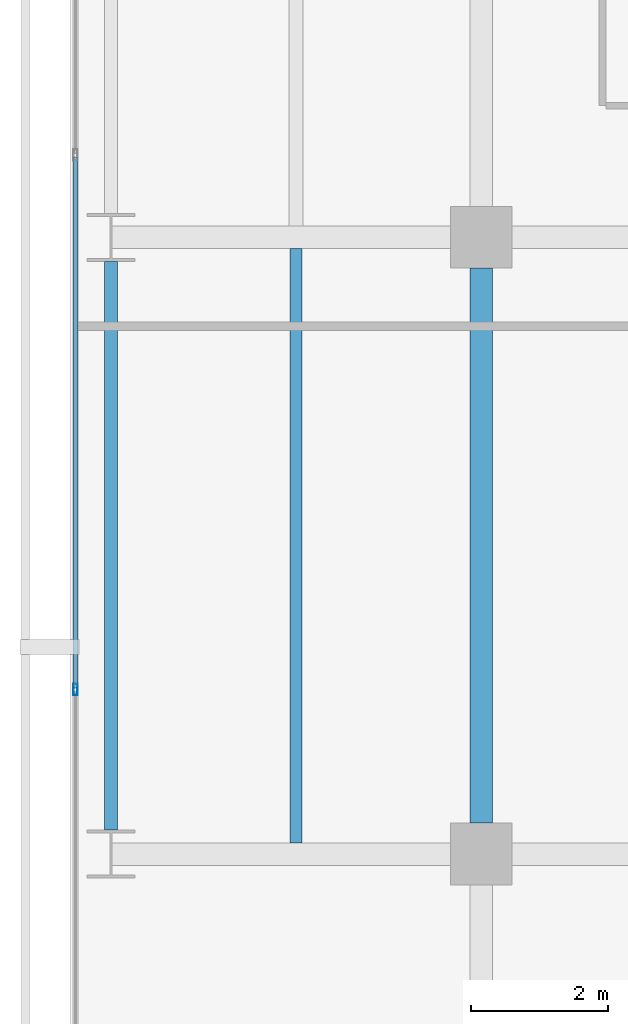
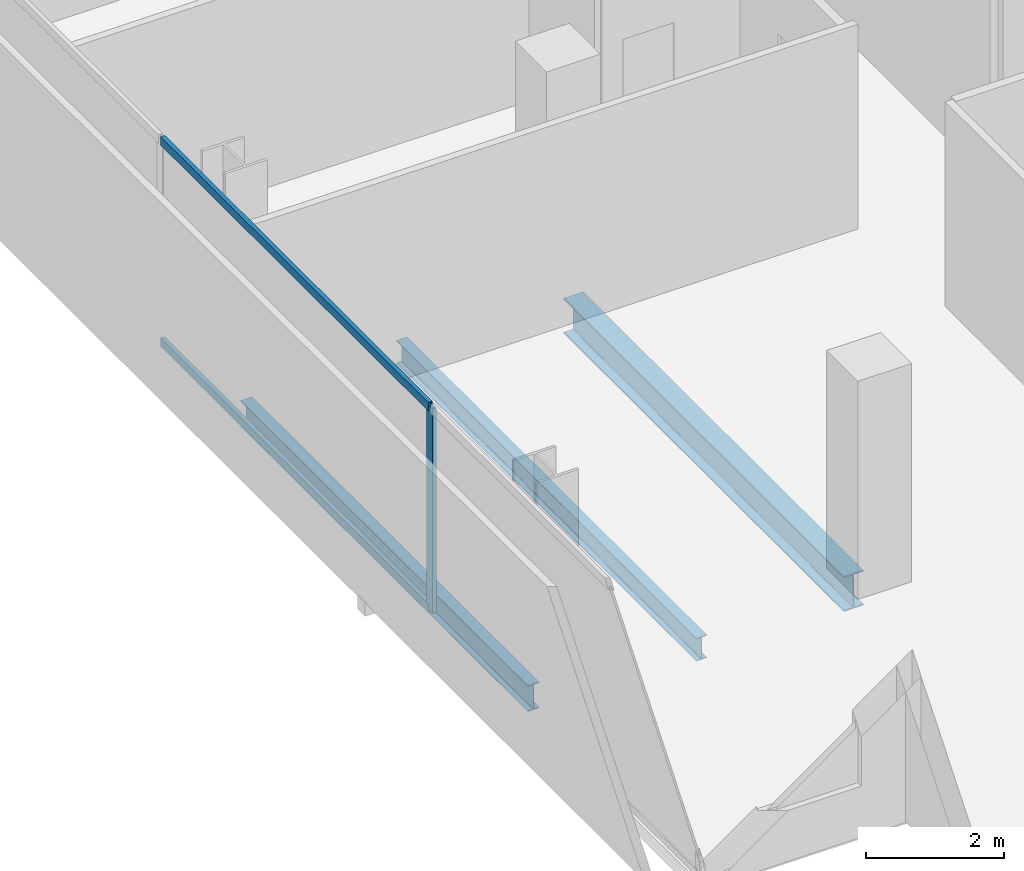
# One storey, part 5 of 40: 3 beams, 3 members, 1 element without a shape of its own.
"""IFC4 building model written with IfcOpenShell, lengths in metres."""

from ifc_helpers import new_model, si_unit, direction, frame, origin, origin_2d, place, context, subcontext, project, spatial, hollow_rectangle, i_section, extrude, material, layer, layer_set, material_profile, profile_set, type_object, element, aggregate, save


model = new_model("IFC4")

# Units and contexts
model_context = context("Model", 3, precision=1e-05, world=origin(), true_north=direction((0.0, 1.0)))
body_context = subcontext(model_context, "Body", "Model", "MODEL_VIEW")
ifc_project = project(units=[si_unit("LENGTHUNIT", "METRE"), si_unit("AREAUNIT", "SQUARE_METRE"), si_unit("VOLUMEUNIT", "CUBIC_METRE"), si_unit("PLANEANGLEUNIT", "RADIAN"), si_unit("MASSUNIT", "GRAM", prefix="KILO")], contexts=[model_context])

# Site, building, storey
site_placement = place(None, origin())
site = spatial("IfcSite", under=ifc_project, at=site_placement, CompositionType="ELEMENT")
building_placement = place(site_placement, origin())
building = spatial("IfcBuilding", under=site, at=building_placement, Name="Maruvema Waterfront Hotel and Observation Tower", CompositionType="ELEMENT")
storey_placement = place(building_placement, frame((0.0, 0.0, 42.35009765625)))
storey = spatial("IfcBuildingStorey", under=building, at=storey_placement, Name="L09", CompositionType="ELEMENT", Elevation=42.35009765625)

# Curtain wall, members
ifc_material_1 = material(Name="Anodised bronze aluminium and solar-control low-E IGU", Category="aluminium")
ifc_layer = layer(ifc_material_1, 0.159912109375, Name="Zone 1 Bronze Inner Thermal Curtain Wall System CW-02")
ifc_layer_set = layer_set([ifc_layer], Name="Anodised bronze aluminium and solar-control low-E IGU")
curtain_wall_type = type_object("IfcCurtainWallType", Name="Zone 1 Bronze Inner Thermal Curtain Wall System CW-02", PredefinedType="USERDEFINED", material=ifc_layer_set)
curtain_wall_placement = place(storey_placement, origin())
curtain_wall = element("IfcCurtainWall", 1, at=curtain_wall_placement, inside=storey, type_object=curtain_wall_type, Name="L09 Curtain Wall CW-L09-W", ObjectType="UNITISED CURTAIN WALL", PredefinedType="USERDEFINED")
ifc_material_2 = material(Name="Anodised architectural bronze aluminium", Category="aluminium")
ifc_material_profile_1 = material_profile(ifc_material_2, hollow_rectangle(XDim=0.070068359375, YDim=0.14990234375, WallThickness=0.00390625, at=origin_2d()), Name="ALU-T70x150")
ifc_profile_set_1 = profile_set([ifc_material_profile_1], Name="Anodised architectural bronze aluminium")
member_type_1 = type_object("IfcMemberType", Name="Curtain Wall Horizontal Transom ALU-T70x150", PredefinedType="USERDEFINED", material=ifc_profile_set_1)
member_1_placement = place(storey_placement, frame((10.8798828125, 19.169921875, 0.02978515625), z_axis=(0.0, -1.0, 0.0), x_axis=(1.0, 0.0, 0.0)))
member_1 = element("IfcMember", 2, at=member_1_placement, type_object=member_type_1, Name="CW-02 transom 5.1", ObjectType="TRANSOM", PredefinedType="USERDEFINED", context=body_context, shape_type="SweptSolid", body=[
    extrude(hollow_rectangle(XDim=0.070068359375, YDim=0.14990234375, WallThickness=0.00390625, at=origin_2d()), origin(), (0.0, 0.0, 1.0), 7.739990234375),
])
member_2_placement = place(storey_placement, frame((10.8798828125, 19.169921875, 3.579833984375), z_axis=(0.0, -1.0, 0.0), x_axis=(1.0, 0.0, 0.0)))
member_2 = element("IfcMember", 3, at=member_2_placement, type_object=member_type_1, Name="CW-02 transom 5.2", ObjectType="TRANSOM", PredefinedType="USERDEFINED", context=body_context, shape_type="SweptSolid", body=[
    extrude(hollow_rectangle(XDim=0.070068359375, YDim=0.14990234375, WallThickness=0.00390625, at=origin_2d()), origin(), (0.0, 0.0, 1.0), 7.739990234375),
])
ifc_material_3 = material(Name="Anodised architectural bronze aluminium", Category="aluminium")
ifc_material_profile_2 = material_profile(ifc_material_3, hollow_rectangle(XDim=0.06494140625, YDim=0.1650390625, WallThickness=0.00390625, at=origin_2d()), Name="ALU-M65x165")
ifc_profile_set_2 = profile_set([ifc_material_profile_2], Name="Anodised architectural bronze aluminium")
member_type_2 = type_object("IfcMemberType", Name="Curtain Wall Primary Mullion ALU-M65x165", PredefinedType="MULLION", material=ifc_profile_set_2)
member_3_placement = place(storey_placement, frame((10.8798828125, 11.39990234375, 0.0), z_axis=(0.0, 0.0, 1.0), x_axis=(1.0, 0.0, 0.0)))
member_3 = element("IfcMember", 4, at=member_3_placement, type_object=member_type_2, Name="CW-02 mullion 6", PredefinedType="MULLION", context=body_context, shape_type="SweptSolid", body=[
    extrude(hollow_rectangle(XDim=0.06494140625, YDim=0.1650390625, WallThickness=0.00390625, at=origin_2d()), origin(), (0.0, 0.0, 1.0), 3.60986328125),
])
aggregate(curtain_wall, [member_3, member_1, member_2])

# Beams
ifc_material_4 = material(Name="Steel ASTM A572 Grade 50", Category="steel")
ifc_material_profile_3 = material_profile(ifc_material_4, i_section(OverallWidth=0.18994140625, OverallDepth=0.45703125, WebThickness=0.009033203125, FlangeThickness=0.014404296875, FilletRadius=0.014892578125, at=origin_2d()), Name="W460x74.0")
ifc_profile_set_3 = profile_set([ifc_material_profile_3], Name="Steel ASTM A572 Grade 50")
beam_type_1 = type_object("IfcBeamType", Name="Perimeter Spandrel Beam W460x74.0", PredefinedType="SPANDREL", material=ifc_profile_set_3)
beam_1_placement = place(storey_placement, frame((11.39990234375, 9.35009765625, -0.468505859375), z_axis=(0.0, 1.0, 0.0), x_axis=(-1.0, 0.0, 0.0)))
element("IfcBeam", 5, at=beam_1_placement, inside=storey, type_object=beam_type_1, Name="L09 Floor Girder NS-01", PredefinedType="SPANDREL", context=body_context, shape_type="SweptSolid", body=[
    extrude(i_section(OverallWidth=0.18994140625, OverallDepth=0.45703125, WebThickness=0.009033203125, FlangeThickness=0.014404296875, FilletRadius=0.014892578125, at=origin_2d()), origin(), (0.0, 0.0, 1.0), 8.2998046875),
])
ifc_material_5 = material(Name="Steel ASTM A572 Grade 50", Category="steel")
ifc_material_profile_4 = material_profile(ifc_material_5, i_section(OverallWidth=0.326904296875, OverallDepth=0.6220703125, WebThickness=0.015380859375, FlangeThickness=0.0244140625, FilletRadius=0.01806640625, at=origin_2d()), Name="W610x195.0")
ifc_profile_set_4 = profile_set([ifc_material_profile_4], Name="Steel ASTM A572 Grade 50")
beam_type_2 = type_object("IfcBeamType", Name="Primary Floor Girder W610x195.0", PredefinedType="BEAM", material=ifc_profile_set_4)
beam_2_placement = place(storey_placement, frame((16.800048828125, 9.449951171875, -0.551025390625), z_axis=(0.0, 1.0, 0.0), x_axis=(-1.0, 0.0, 0.0)))
element("IfcBeam", 6, at=beam_2_placement, inside=storey, type_object=beam_type_2, Name="L09 Floor Girder NS-06", PredefinedType="BEAM", context=body_context, shape_type="SweptSolid", body=[
    extrude(i_section(OverallWidth=0.326904296875, OverallDepth=0.6220703125, WebThickness=0.015380859375, FlangeThickness=0.0244140625, FilletRadius=0.01806640625, at=origin_2d()), origin(), (0.0, 0.0, 1.0), 8.10009765625),
])
ifc_material_6 = material(Name="Steel ASTM A572 Grade 50", Category="steel")
ifc_material_profile_5 = material_profile(ifc_material_6, i_section(OverallWidth=0.177001953125, OverallDepth=0.403076171875, WebThickness=0.007568359375, FlangeThickness=0.010986328125, FilletRadius=0.014892578125, at=origin_2d()), Name="W410x53.0")
ifc_profile_set_5 = profile_set([ifc_material_profile_5], Name="Steel ASTM A572 Grade 50")
beam_type_3 = type_object("IfcBeamType", Name="Secondary Floor Joist W410x53.0", PredefinedType="JOIST", material=ifc_profile_set_5)
beam_3_placement = place(storey_placement, frame((14.10009765625, 9.16357421875, -0.441650390625), z_axis=(0.0, 1.0, 0.0), x_axis=(-1.0, 0.0, 0.0)))
element("IfcBeam", 7, at=beam_3_placement, inside=storey, type_object=beam_type_3, Name="L09 Secondary Floor Joist JS-01", PredefinedType="JOIST", context=body_context, shape_type="SweptSolid", body=[
    extrude(i_section(OverallWidth=0.177001953125, OverallDepth=0.403076171875, WebThickness=0.007568359375, FlangeThickness=0.010986328125, FilletRadius=0.014892578125, at=origin_2d()), origin(), (0.0, 0.0, 1.0), 8.6728515625),
])

save(model, "model.ifc")
